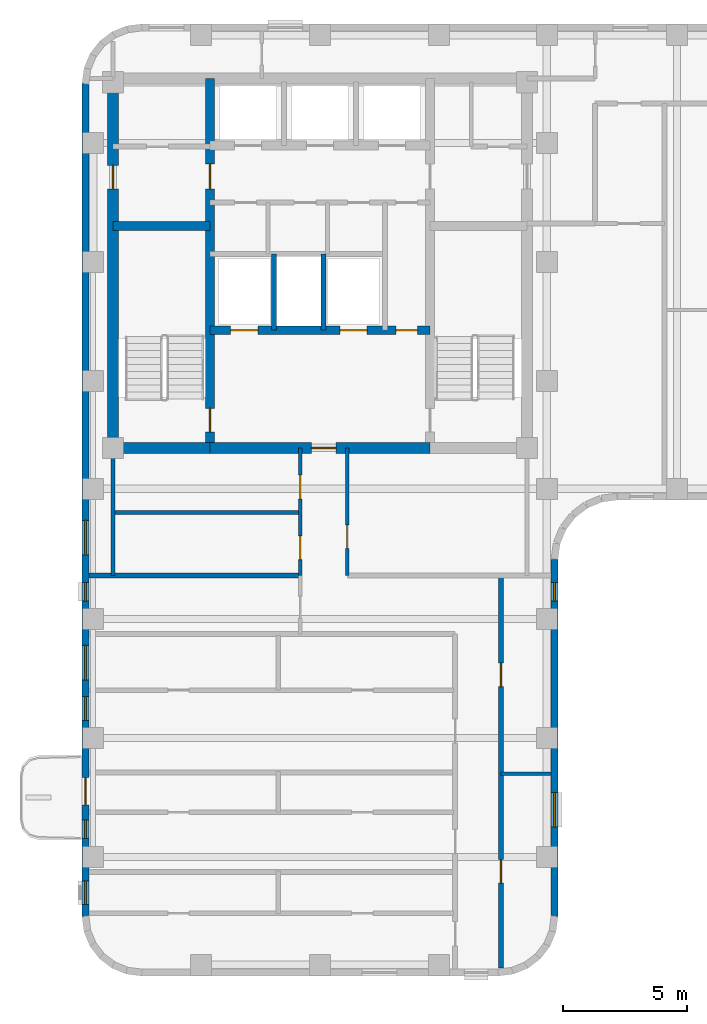
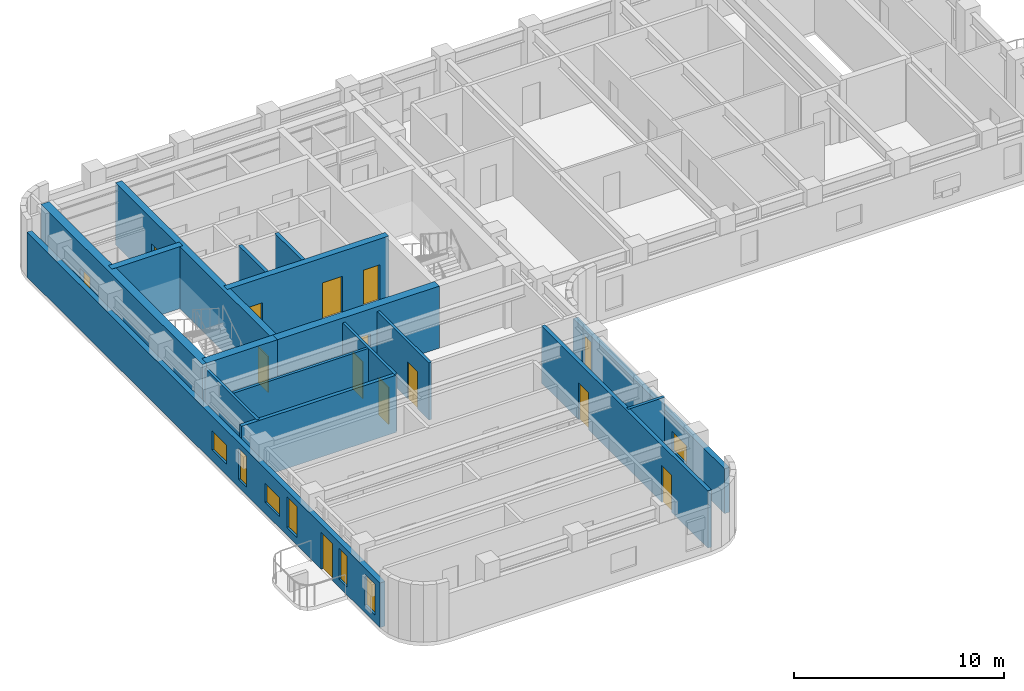
# One storey, part 3 of 8: 17 walls, 13 doors, 8 windows, 21 openings.
"""IFC4 building model written with IfcOpenShell, lengths in metres."""

from ifc_helpers import new_model, si_unit, direction, frame, frame_2d, origin, place, context, subcontext, project, spatial, rectangle, extrude, material, layer, layer_set, type_object, element, fill, save


model = new_model("IFC4")

# Units and contexts
model_context = context("Model", 3, precision=1e-05, world=origin(), true_north=direction((0.0, 1.0)))
body_context = subcontext(model_context, "Body", "Model", "MODEL_VIEW")
ifc_project = project(units=[si_unit("LENGTHUNIT", "METRE"), si_unit("AREAUNIT", "SQUARE_METRE"), si_unit("VOLUMEUNIT", "CUBIC_METRE"), si_unit("PLANEANGLEUNIT", "RADIAN"), si_unit("MASSUNIT", "GRAM", prefix="KILO")], contexts=[model_context])

# Site, building, storey
site_placement = place(None, origin())
site = spatial("IfcSite", under=ifc_project, at=site_placement, CompositionType="ELEMENT")
building_placement = place(site_placement, origin())
building = spatial("IfcBuilding", under=site, at=building_placement, Name="Orvandelia Arch Residences", CompositionType="ELEMENT")
storey_placement = place(building_placement, frame((0.0, 0.0, 236.199951171875)))
storey = spatial("IfcBuildingStorey", under=building, at=storey_placement, Name="L62", CompositionType="ELEMENT", Elevation=236.199951171875)

# Wall, openings, doors
ifc_material_1 = material(Name="Concrete C50/60", Category="concrete")
ifc_layer_1 = layer(ifc_material_1, 0.35009765625, Name="Concrete C50/60", Category="concrete")
ifc_layer_set_1 = layer_set([ifc_layer_1], Name="Concrete C50/60")
wall_type_1 = type_object("IfcWallType", Name="WL-CORE-350", PredefinedType="SHEAR", material=ifc_layer_set_1)
wall_1_placement = place(storey_placement, frame((9.9599609375, 30.89990234375, 0.0), z_axis=(0.0, 0.0, 1.0), x_axis=(0.0, 1.0, 0.0)))
wall_1 = element("IfcWall", 1, at=wall_1_placement, inside=storey, type_object=wall_type_1, Name="Core Shear Wall L62-WEB1", PredefinedType="SHEAR", context=body_context, shape_type="SweptSolid", body=[
    extrude(rectangle(XDim=14.900146484375, YDim=0.35009765625, at=frame_2d((7.4501953125, 0.0))), origin(), (0.0, 0.0, 1.0), 3.60009765625),
])
opening_1_placement = place(wall_1_placement, frame((0.64990234375, 0.0, 0.0)))
opening_1 = element("IfcOpeningElement", 2, at=opening_1_placement, cuts=wall_1, Name="Opening D7", PredefinedType="OPENING", context=body_context, shape_type="SweptSolid", body=[
    extrude(rectangle(XDim=0.949951171875, YDim=2.10009765625, at=frame_2d((0.47509765625, 1.050048828125))), frame((0.0, 0.18505859375, 0.0), z_axis=(0.0, -1.0, 0.0), x_axis=(1.0, 0.0, 0.0)), (0.0, 0.0, 1.0), 0.3701171875),
])
opening_2_placement = place(wall_1_placement, frame((10.449951171875, 0.0, 0.0)))
opening_2 = element("IfcOpeningElement", 3, at=opening_2_placement, cuts=wall_1, Name="Opening D6", PredefinedType="OPENING", context=body_context, shape_type="SweptSolid", body=[
    extrude(rectangle(XDim=1.0, YDim=2.14990234375, at=frame_2d((0.5, 1.074951171875))), frame((0.0, 0.18505859375, 0.0), z_axis=(0.0, -1.0, 0.0), x_axis=(1.0, 0.0, 0.0)), (0.0, 0.0, 1.0), 0.3701171875),
])
ifc_material_2 = material(Name="Smokeproof Painted Steel Fire Door", Category="steel")
door_type_1 = type_object("IfcDoorType", Name="DR-FD60-1000", OperationType="NOTDEFINED", PredefinedType="DOOR", material=ifc_material_2)
door_1_placement = place(opening_2_placement, origin())
door_1 = element("IfcDoor", 4, at=door_1_placement, inside=storey, type_object=door_type_1, Name="High-Rise Lift Hall West Vestibule Door L62", OperationType="SINGLE_SWING_LEFT", OverallHeight=2.14990234375, OverallWidth=1.0, PredefinedType="DOOR", context=body_context, shape_type="SweptSolid", body=[
    extrude(rectangle(XDim=1.0, YDim=2.14990234375, at=frame_2d((0.5, 1.074951171875))), frame((0.0, 0.02490234375, 0.0), z_axis=(0.0, -1.0, 0.0), x_axis=(1.0, 0.0, 0.0)), (0.0, 0.0, 1.0), 0.050048828125),
])
fill(opening_2, door_1)
ifc_material_3 = material(Name="Pressurised Stairwell Fire Door")
door_type_2 = type_object("IfcDoorType", Name="DR-STAIR-950", OperationType="NOTDEFINED", PredefinedType="DOOR", material=ifc_material_3)
door_2_placement = place(opening_1_placement, origin())
door_2 = element("IfcDoor", 5, at=door_2_placement, inside=storey, type_object=door_type_2, Name="Stairwell ST-1 Fire Door L62", OperationType="SINGLE_SWING_LEFT", OverallHeight=2.10009765625, OverallWidth=0.949951171875, PredefinedType="DOOR", context=body_context, shape_type="SweptSolid", body=[
    extrude(rectangle(XDim=0.949951171875, YDim=2.10009765625, at=frame_2d((0.47509765625, 1.050048828125))), frame((0.0, 0.02490234375, 0.0), z_axis=(0.0, -1.0, 0.0), x_axis=(1.0, 0.0, 0.0)), (0.0, 0.0, 1.0), 0.050048828125),
])
fill(opening_1, door_2)

# Wall
wall_2_placement = place(storey_placement, frame((6.050048828125, 39.85009765625, 0.0), z_axis=(0.0, 0.0, 1.0), x_axis=(1.0, 0.0, 0.0)))
element("IfcWall", 6, at=wall_2_placement, inside=storey, type_object=wall_type_1, Name="Core Shear Wall L62-HZ1", PredefinedType="SHEAR", context=body_context, shape_type="SweptSolid", body=[
    extrude(rectangle(XDim=3.909912109375, YDim=0.35009765625, at=frame_2d((1.955078125, 0.0))), origin(), (0.0, 0.0, 1.0), 3.60009765625),
])

# Wall, openings, doors
wall_3_placement = place(storey_placement, frame((9.9599609375, 35.64990234375, 0.0), z_axis=(0.0, 0.0, 1.0), x_axis=(1.0, 0.0, 0.0)))
wall_3 = element("IfcWall", 7, at=wall_3_placement, inside=storey, type_object=wall_type_1, Name="Core Shear Wall L62-HZ3", PredefinedType="SHEAR", context=body_context, shape_type="SweptSolid", body=[
    extrude(rectangle(XDim=8.880126953125, YDim=0.35009765625, at=frame_2d((4.43994140625, 0.0))), origin(), (0.0, 0.0, 1.0), 3.60009765625),
])
opening_3_placement = place(wall_3_placement, frame((0.840087890625, 0.0, 0.0)))
opening_3 = element("IfcOpeningElement", 8, at=opening_3_placement, cuts=wall_3, Name="Opening FLD", PredefinedType="OPENING", context=body_context, shape_type="SweptSolid", body=[
    extrude(rectangle(XDim=1.10009765625, YDim=2.14990234375, at=frame_2d((0.550048828125, 1.074951171875))), frame((0.0, 0.18505859375, 0.0), z_axis=(0.0, -1.0, 0.0), x_axis=(1.0, 0.0, 0.0)), (0.0, 0.0, 1.0), 0.3701171875),
])
opening_4_placement = place(wall_3_placement, frame((5.239990234375, 0.0, 0.0)))
opening_4 = element("IfcOpeningElement", 9, at=opening_4_placement, cuts=wall_3, Name="Opening FLD", PredefinedType="OPENING", context=body_context, shape_type="SweptSolid", body=[
    extrude(rectangle(XDim=1.10009765625, YDim=2.14990234375, at=frame_2d((0.550048828125, 1.074951171875))), frame((0.0, 0.18505859375, 0.0), z_axis=(0.0, -1.0, 0.0), x_axis=(1.0, 0.0, 0.0)), (0.0, 0.0, 1.0), 0.3701171875),
])
opening_5_placement = place(wall_3_placement, frame((7.5, 0.0, 0.0)))
opening_5 = element("IfcOpeningElement", 10, at=opening_5_placement, cuts=wall_3, Name="Opening D5", PredefinedType="OPENING", context=body_context, shape_type="SweptSolid", body=[
    extrude(rectangle(XDim=0.8798828125, YDim=2.10009765625, at=frame_2d((0.43994140625, 1.050048828125))), frame((0.0, 0.18505859375, 0.0), z_axis=(0.0, -1.0, 0.0), x_axis=(1.0, 0.0, 0.0)), (0.0, 0.0, 1.0), 0.3701171875),
])
ifc_material_4 = material(Name="Firefighting Lift Stainless Sliding Door")
door_type_3 = type_object("IfcDoorType", Name="DR-FLFT-1100", OperationType="NOTDEFINED", PredefinedType="DOOR", material=ifc_material_4)
door_3_placement = place(opening_3_placement, origin())
door_3 = element("IfcDoor", 11, at=door_3_placement, inside=storey, type_object=door_type_3, Name="Firefighting Lift Landing Door FLD-FL1-L62", OperationType="SLIDING_TO_LEFT", OverallHeight=2.14990234375, OverallWidth=1.10009765625, PredefinedType="DOOR", context=body_context, shape_type="SweptSolid", body=[
    extrude(rectangle(XDim=1.10009765625, YDim=2.14990234375, at=frame_2d((0.550048828125, 1.074951171875))), frame((0.0, 0.02490234375, 0.0), z_axis=(0.0, -1.0, 0.0), x_axis=(1.0, 0.0, 0.0)), (0.0, 0.0, 1.0), 0.050048828125),
])
fill(opening_3, door_3)
door_4_placement = place(opening_4_placement, origin())
door_4 = element("IfcDoor", 12, at=door_4_placement, inside=storey, type_object=door_type_3, Name="Firefighting Lift Landing Door FLD-FL2-L62", OperationType="SLIDING_TO_RIGHT", OverallHeight=2.14990234375, OverallWidth=1.10009765625, PredefinedType="DOOR", context=body_context, shape_type="SweptSolid", body=[
    extrude(rectangle(XDim=1.10009765625, YDim=2.14990234375, at=frame_2d((0.550048828125, 1.074951171875))), frame((0.0, 0.02490234375, 0.0), z_axis=(0.0, -1.0, 0.0), x_axis=(1.0, 0.0, 0.0)), (0.0, 0.0, 1.0), 0.050048828125),
])
fill(opening_4, door_4)
ifc_material_5 = material(Name="Painted Galvanised Steel Service Door", Category="steel")
door_type_4 = type_object("IfcDoorType", Name="DR-SRV-880", OperationType="NOTDEFINED", PredefinedType="DOOR", material=ifc_material_5)
door_5_placement = place(opening_5_placement, origin())
door_5 = element("IfcDoor", 13, at=door_5_placement, inside=storey, type_object=door_type_4, Name="Core Stairway Passage South Fire Door L62", OperationType="SINGLE_SWING_LEFT", OverallHeight=2.10009765625, OverallWidth=0.8798828125, PredefinedType="DOOR", context=body_context, shape_type="SweptSolid", body=[
    extrude(rectangle(XDim=0.8798828125, YDim=2.10009765625, at=frame_2d((0.43994140625, 1.050048828125))), frame((0.0, 0.02490234375, 0.0), z_axis=(0.0, -1.0, 0.0), x_axis=(1.0, 0.0, 0.0)), (0.0, 0.0, 1.0), 0.050048828125),
])
fill(opening_5, door_5)

# Wall, opening, door
ifc_layer_2 = layer(ifc_material_1, 0.449951171875, Name="Concrete C50/60", Category="concrete")
ifc_layer_set_2 = layer_set([ifc_layer_2], Name="Concrete C50/60")
wall_type_2 = type_object("IfcWallType", Name="WL-CORE-450", PredefinedType="SHEAR", material=ifc_layer_set_2)
wall_4_placement = place(storey_placement, frame((6.050048828125, 30.675048828125, 0.0), z_axis=(0.0, 0.0, 1.0), x_axis=(0.0, 1.0, 0.0)))
wall_4 = element("IfcWall", 14, at=wall_4_placement, inside=storey, type_object=wall_type_2, Name="Core Shear Wall L62-W", PredefinedType="SHEAR", context=body_context, shape_type="SweptSolid", body=[
    extrude(rectangle(XDim=15.349853515625, YDim=0.449951171875, at=frame_2d((7.6748046875, 0.0))), origin(), (0.0, 0.0, 1.0), 3.60009765625),
])
opening_6_placement = place(wall_4_placement, frame((10.675048828125, 0.0, 0.0)))
opening_6 = element("IfcOpeningElement", 15, at=opening_6_placement, cuts=wall_4, Name="Opening D2", PredefinedType="OPENING", context=body_context, shape_type="SweptSolid", body=[
    extrude(rectangle(XDim=0.949951171875, YDim=2.14990234375, at=frame_2d((0.47509765625, 1.074951171875))), frame((0.0, 0.23486328125, 0.0), z_axis=(0.0, -1.0, 0.0), x_axis=(1.0, 0.0, 0.0)), (0.0, 0.0, 1.0), 0.469970703125),
])
ifc_material_6 = material(Name="Solid-Core Timber Interior Fire Door", Category="wood")
door_type_5 = type_object("IfcDoorType", Name="DR-APT-950", OperationType="NOTDEFINED", PredefinedType="DOOR", material=ifc_material_6)
door_6_placement = place(opening_6_placement, origin())
door_6 = element("IfcDoor", 16, at=door_6_placement, inside=storey, type_object=door_type_5, Name="West Viewing Study Door L62", OperationType="SINGLE_SWING_RIGHT", OverallHeight=2.14990234375, OverallWidth=0.949951171875, PredefinedType="DOOR", context=body_context, shape_type="SweptSolid", body=[
    extrude(rectangle(XDim=0.949951171875, YDim=2.14990234375, at=frame_2d((0.47509765625, 1.074951171875))), frame((0.0, 0.02490234375, 0.0), z_axis=(0.0, -1.0, 0.0), x_axis=(1.0, 0.0, 0.0)), (0.0, 0.0, 1.0), 0.050048828125),
])
fill(opening_6, door_6)

# Wall
wall_5_placement = place(storey_placement, frame((6.050048828125, 30.89990234375, 0.0), z_axis=(0.0, 0.0, 1.0), x_axis=(1.0, 0.0, 0.0)))
element("IfcWall", 17, at=wall_5_placement, inside=storey, type_object=wall_type_2, Name="Core Shear Wall L62-SW", PredefinedType="SHEAR", context=body_context, shape_type="SweptSolid", body=[
    extrude(rectangle(XDim=3.909912109375, YDim=0.449951171875, at=frame_2d((1.955078125, 0.0))), origin(), (0.0, 0.0, 1.0), 3.60009765625),
])

# Wall, opening, door
wall_6_placement = place(storey_placement, frame((9.9599609375, 30.89990234375, 0.0), z_axis=(0.0, 0.0, 1.0), x_axis=(1.0, 0.0, 0.0)))
wall_6 = element("IfcWall", 18, at=wall_6_placement, inside=storey, type_object=wall_type_2, Name="Core Shear Wall L62-SM", PredefinedType="SHEAR", context=body_context, shape_type="SweptSolid", body=[
    extrude(rectangle(XDim=8.880126953125, YDim=0.449951171875, at=frame_2d((4.43994140625, 0.0))), origin(), (0.0, 0.0, 1.0), 3.60009765625),
])
opening_7_placement = place(wall_6_placement, frame((4.090087890625, 0.0, 0.0)))
opening_7 = element("IfcOpeningElement", 19, at=opening_7_placement, cuts=wall_6, Name="Opening D6", PredefinedType="OPENING", context=body_context, shape_type="SweptSolid", body=[
    extrude(rectangle(XDim=1.0, YDim=2.14990234375, at=frame_2d((0.5, 1.074951171875))), frame((0.0, 0.23486328125, 0.0), z_axis=(0.0, -1.0, 0.0), x_axis=(1.0, 0.0, 0.0)), (0.0, 0.0, 1.0), 0.469970703125),
])
door_7_placement = place(opening_7_placement, origin())
door_7 = element("IfcDoor", 20, at=door_7_placement, inside=storey, type_object=door_type_1, Name="Firefighting Lobby Smokeproof Door L62", OperationType="SINGLE_SWING_LEFT", OverallHeight=2.14990234375, OverallWidth=1.0, PredefinedType="DOOR", context=body_context, shape_type="SweptSolid", body=[
    extrude(rectangle(XDim=1.0, YDim=2.14990234375, at=frame_2d((0.5, 1.074951171875))), frame((0.0, 0.02490234375, 0.0), z_axis=(0.0, -1.0, 0.0), x_axis=(1.0, 0.0, 0.0)), (0.0, 0.0, 1.0), 0.050048828125),
])
fill(opening_7, door_7)

# Wall, openings, doors
ifc_material_7 = material(Name="Fire-Rated Corridor Partition")
ifc_layer_3 = layer(ifc_material_7, 0.199951171875, Name="Fire-Rated Corridor Partition")
ifc_layer_set_3 = layer_set([ifc_layer_3], Name="Fire-Rated Corridor Partition")
wall_type_3 = type_object("IfcWallType", Name="WL-CORR-200", PredefinedType="PARTITIONING", material=ifc_layer_set_3)
wall_7_placement = place(storey_placement, frame((21.699951171875, 9.919921875, 0.0), z_axis=(0.0, 0.0, 1.0), x_axis=(0.0, 1.0, 0.0)))
wall_7 = element("IfcWall", 21, at=wall_7_placement, inside=storey, type_object=wall_type_3, Name="Interior Partition Wall WL-L62-WC-E", PredefinedType="PARTITIONING", context=body_context, shape_type="SweptSolid", body=[
    extrude(rectangle(XDim=15.830078125, YDim=0.199951171875, at=frame_2d((7.9150390625, 0.0))), origin(), (0.0, 0.0, 1.0), 3.320068359375),
])
opening_8_placement = place(wall_7_placement, frame((3.429931640625, 0.0, 0.0)))
opening_8 = element("IfcOpeningElement", 22, at=opening_8_placement, cuts=wall_7, Name="Opening D2", PredefinedType="OPENING", context=body_context, shape_type="SweptSolid", body=[
    extrude(rectangle(XDim=0.949951171875, YDim=2.14990234375, at=frame_2d((0.47509765625, 1.074951171875))), frame((0.0, 0.10986328125, 0.0), z_axis=(0.0, -1.0, 0.0), x_axis=(1.0, 0.0, 0.0)), (0.0, 0.0, 1.0), 0.219970703125),
])
opening_9_placement = place(wall_7_placement, frame((11.35009765625, 0.0, 0.0)))
opening_9 = element("IfcOpeningElement", 23, at=opening_9_placement, cuts=wall_7, Name="Opening D2", PredefinedType="OPENING", context=body_context, shape_type="SweptSolid", body=[
    extrude(rectangle(XDim=0.949951171875, YDim=2.14990234375, at=frame_2d((0.47509765625, 1.074951171875))), frame((0.0, 0.10986328125, 0.0), z_axis=(0.0, -1.0, 0.0), x_axis=(1.0, 0.0, 0.0)), (0.0, 0.0, 1.0), 0.219970703125),
])
door_8_placement = place(opening_8_placement, origin())
door_8 = element("IfcDoor", 24, at=door_8_placement, inside=storey, type_object=door_type_5, Name="DR-L62-EGALV1", OperationType="SINGLE_SWING_LEFT", OverallHeight=2.14990234375, OverallWidth=0.949951171875, PredefinedType="DOOR", context=body_context, shape_type="SweptSolid", body=[
    extrude(rectangle(XDim=0.949951171875, YDim=2.14990234375, at=frame_2d((0.47509765625, 1.074951171875))), frame((0.0, 0.02490234375, 0.0), z_axis=(0.0, -1.0, 0.0), x_axis=(1.0, 0.0, 0.0)), (0.0, 0.0, 1.0), 0.050048828125),
])
fill(opening_8, door_8)
door_9_placement = place(opening_9_placement, origin())
door_9 = element("IfcDoor", 25, at=door_9_placement, inside=storey, type_object=door_type_5, Name="DR-L62-EGLDY1", OperationType="SINGLE_SWING_RIGHT", OverallHeight=2.14990234375, OverallWidth=0.949951171875, PredefinedType="DOOR", context=body_context, shape_type="SweptSolid", body=[
    extrude(rectangle(XDim=0.949951171875, YDim=2.14990234375, at=frame_2d((0.47509765625, 1.074951171875))), frame((0.0, 0.02490234375, 0.0), z_axis=(0.0, -1.0, 0.0), x_axis=(1.0, 0.0, 0.0)), (0.0, 0.0, 1.0), 0.050048828125),
])
fill(opening_9, door_9)

# Wall
wall_8_placement = place(storey_placement, frame((5.080078125, 25.75, 0.0), z_axis=(0.0, 0.0, 1.0), x_axis=(1.0, 0.0, 0.0)))
element("IfcWall", 26, at=wall_8_placement, inside=storey, type_object=wall_type_3, Name="Interior Partition Wall WL-L62-WLNK-NW2", PredefinedType="PARTITIONING", context=body_context, shape_type="SweptSolid", body=[
    extrude(rectangle(XDim=8.52001953125, YDim=0.199951171875, at=frame_2d((4.260009765625, 0.0))), origin(), (0.0, 0.0, 1.0), 3.320068359375),
])

# Wall, openings, windows
ifc_material_8 = material(Name="Precast concrete C40/50", Category="concrete")
ifc_layer_4 = layer(ifc_material_8, 0.280029296875, Name="Precast concrete C40/50", Category="concrete")
ifc_layer_set_4 = layer_set([ifc_layer_4], Name="Precast concrete C40/50")
wall_type_4 = type_object("IfcWallType", Name="WL-EXT-STONE-280", PredefinedType="STANDARD", material=ifc_layer_set_4)
wall_9_placement = place(storey_placement, frame((23.860107421875, 26.39990234375, 0.0), z_axis=(0.0, 0.0, 1.0), x_axis=(0.0, -1.0, 0.0)))
wall_9 = element("IfcWall", 27, at=wall_9_placement, inside=storey, type_object=wall_type_4, Name="Coral-Limestone Precast Facade Wall L62-028", PredefinedType="STANDARD", context=body_context, shape_type="SweptSolid", body=[
    extrude(rectangle(XDim=14.39990234375, YDim=0.280029296875, at=frame_2d((7.199951171875, 0.0))), origin(), (0.0, 0.0, 1.0), 2.60009765625),
])
opening_10_placement = place(wall_9_placement, frame((9.3974609375, 0.0, 0.64990234375)))
opening_10 = element("IfcOpeningElement", 28, at=opening_10_placement, cuts=wall_9, Name="Opening W10", PredefinedType="OPENING", context=body_context, shape_type="SweptSolid", body=[
    extrude(rectangle(XDim=1.39990234375, YDim=1.10009765625, at=frame_2d((0.699951171875, 0.550048828125))), frame((0.0, 0.14990234375, 0.0), z_axis=(0.0, -1.0, 0.0), x_axis=(1.0, 0.0, 0.0)), (0.0, 0.0, 1.0), 0.300048828125),
])
opening_11_placement = place(wall_9_placement, frame((0.927490234375, 0.0, 0.449951171875)))
opening_11 = element("IfcOpeningElement", 29, at=opening_11_placement, cuts=wall_9, Name="Opening W11", PredefinedType="OPENING", context=body_context, shape_type="SweptSolid", body=[
    extrude(rectangle(XDim=0.75, YDim=1.800048828125, at=frame_2d((0.375, 0.89990234375))), frame((0.0, 0.14990234375, 0.0), z_axis=(0.0, -1.0, 0.0), x_axis=(1.0, 0.0, 0.0)), (0.0, 0.0, 1.0), 0.300048828125),
])
ifc_material_9 = material(Name="Tempered Low-E Insulated Glazing", Category="glass")
window_type_1 = type_object("IfcWindowType", Name="WIN-BED-0750x1800", PartitioningType="SINGLE_PANEL", PredefinedType="WINDOW", material=ifc_material_9)
window_1_placement = place(opening_11_placement, origin())
window_1 = element("IfcWindow", 30, at=window_1_placement, inside=storey, type_object=window_type_1, Name="Recessed Punched Window L62-013", OverallHeight=1.800048828125, OverallWidth=0.75, PartitioningType="SINGLE_PANEL", PredefinedType="WINDOW", context=body_context, shape_type="SweptSolid", body=[
    extrude(rectangle(XDim=0.75, YDim=1.800048828125, at=frame_2d((0.375, 0.89990234375))), frame((0.0, 0.030029296875, 0.0), z_axis=(0.0, -1.0, 0.0), x_axis=(1.0, 0.0, 0.0)), (0.0, 0.0, 1.0), 0.06005859375),
])
fill(opening_11, window_1)
window_type_2 = type_object("IfcWindowType", Name="WIN-CLR-1400x1100", PartitioningType="SINGLE_PANEL", PredefinedType="WINDOW", material=ifc_material_9)
window_2_placement = place(opening_10_placement, origin())
window_2 = element("IfcWindow", 31, at=window_2_placement, inside=storey, type_object=window_type_2, Name="Recessed Punched Window L62-012", OverallHeight=1.10009765625, OverallWidth=1.39990234375, PartitioningType="SINGLE_PANEL", PredefinedType="WINDOW", context=body_context, shape_type="SweptSolid", body=[
    extrude(rectangle(XDim=1.39990234375, YDim=1.10009765625, at=frame_2d((0.699951171875, 0.550048828125))), frame((0.0, 0.030029296875, 0.0), z_axis=(0.0, -1.0, 0.0), x_axis=(1.0, 0.0, 0.0)), (0.0, 0.0, 1.0), 0.06005859375),
])
fill(opening_10, window_2)

# Wall, openings, door, windows
wall_10_placement = place(storey_placement, frame((4.93994140625, 12.0, 0.0), z_axis=(0.0, 0.0, 1.0), x_axis=(0.0, 1.0, 0.0)))
wall_10 = element("IfcWall", 32, at=wall_10_placement, inside=storey, type_object=wall_type_4, Name="Coral-Limestone Precast Facade Wall L62-042", PredefinedType="STANDARD", context=body_context, shape_type="SweptSolid", body=[
    extrude(rectangle(XDim=33.60009765625, YDim=0.280029296875, at=frame_2d((16.800048828125, 0.0))), origin(), (0.0, 0.0, 1.0), 2.60009765625),
])
opening_12_placement = place(wall_10_placement, frame((4.5, 0.0, 0.0)))
opening_12 = element("IfcOpeningElement", 33, at=opening_12_placement, cuts=wall_10, Name="Opening BD1", PredefinedType="OPENING", context=body_context, shape_type="SweptSolid", body=[
    extrude(rectangle(XDim=1.10009765625, YDim=2.14990234375, at=frame_2d((0.550048828125, 1.074951171875))), frame((0.0, 0.14990234375, 0.0), z_axis=(0.0, -1.0, 0.0), x_axis=(1.0, 0.0, 0.0)), (0.0, 0.0, 1.0), 0.300048828125),
])
opening_13_placement = place(wall_10_placement, frame((3.152587890625, 0.0, 0.449951171875)))
opening_13 = element("IfcOpeningElement", 34, at=opening_13_placement, cuts=wall_10, Name="Opening W11", PredefinedType="OPENING", context=body_context, shape_type="SweptSolid", body=[
    extrude(rectangle(XDim=0.75, YDim=1.800048828125, at=frame_2d((0.375, 0.89990234375))), frame((0.0, 0.14990234375, 0.0), z_axis=(0.0, -1.0, 0.0), x_axis=(1.0, 0.0, 0.0)), (0.0, 0.0, 1.0), 0.300048828125),
])
opening_14_placement = place(wall_10_placement, frame((7.91455078125, 0.0, 0.449951171875)))
opening_14 = element("IfcOpeningElement", 35, at=opening_14_placement, cuts=wall_10, Name="Opening W4", PredefinedType="OPENING", context=body_context, shape_type="SweptSolid", body=[
    extrude(rectangle(XDim=0.949951171875, YDim=1.800048828125, at=frame_2d((0.47509765625, 0.89990234375))), frame((0.0, 0.14990234375, 0.0), z_axis=(0.0, -1.0, 0.0), x_axis=(1.0, 0.0, 0.0)), (0.0, 0.0, 1.0), 0.300048828125),
])
opening_15_placement = place(wall_10_placement, frame((0.489990234375, 0.0, 0.449951171875)))
opening_15 = element("IfcOpeningElement", 36, at=opening_15_placement, cuts=wall_10, Name="Opening W4", PredefinedType="OPENING", context=body_context, shape_type="SweptSolid", body=[
    extrude(rectangle(XDim=0.949951171875, YDim=1.800048828125, at=frame_2d((0.47509765625, 0.89990234375))), frame((0.0, 0.14990234375, 0.0), z_axis=(0.0, -1.0, 0.0), x_axis=(1.0, 0.0, 0.0)), (0.0, 0.0, 1.0), 0.300048828125),
])
opening_16_placement = place(wall_10_placement, frame((9.537109375, 0.0, 0.64990234375)))
opening_16 = element("IfcOpeningElement", 37, at=opening_16_placement, cuts=wall_10, Name="Opening W10", PredefinedType="OPENING", context=body_context, shape_type="SweptSolid", body=[
    extrude(rectangle(XDim=1.39990234375, YDim=1.10009765625, at=frame_2d((0.699951171875, 0.550048828125))), frame((0.0, 0.14990234375, 0.0), z_axis=(0.0, -1.0, 0.0), x_axis=(1.0, 0.0, 0.0)), (0.0, 0.0, 1.0), 0.300048828125),
])
opening_17_placement = place(wall_10_placement, frame((14.58251953125, 0.0, 0.64990234375)))
opening_17 = element("IfcOpeningElement", 38, at=opening_17_placement, cuts=wall_10, Name="Opening W10", PredefinedType="OPENING", context=body_context, shape_type="SweptSolid", body=[
    extrude(rectangle(XDim=1.39990234375, YDim=1.10009765625, at=frame_2d((0.699951171875, 0.550048828125))), frame((0.0, 0.14990234375, 0.0), z_axis=(0.0, -1.0, 0.0), x_axis=(1.0, 0.0, 0.0)), (0.0, 0.0, 1.0), 0.300048828125),
])
opening_18_placement = place(wall_10_placement, frame((12.717529296875, 0.0, 0.449951171875)))
opening_18 = element("IfcOpeningElement", 39, at=opening_18_placement, cuts=wall_10, Name="Opening W11", PredefinedType="OPENING", context=body_context, shape_type="SweptSolid", body=[
    extrude(rectangle(XDim=0.75, YDim=1.800048828125, at=frame_2d((0.375, 0.89990234375))), frame((0.0, 0.14990234375, 0.0), z_axis=(0.0, -1.0, 0.0), x_axis=(1.0, 0.0, 0.0)), (0.0, 0.0, 1.0), 0.300048828125),
])
ifc_material_10 = material(Name="Thermally Broken Aluminium Glazed Door", Category="aluminium")
door_type_6 = type_object("IfcDoorType", Name="DR-BAL-GLAZ-1100", OperationType="NOTDEFINED", PredefinedType="DOOR", material=ifc_material_10)
door_10_placement = place(opening_12_placement, origin())
door_10 = element("IfcDoor", 40, at=door_10_placement, inside=storey, type_object=door_type_6, Name="Tree Balcony Glazed Door BAL-L62-W1", OperationType="SINGLE_SWING_RIGHT", OverallHeight=2.14990234375, OverallWidth=1.10009765625, PredefinedType="DOOR", context=body_context, shape_type="SweptSolid", body=[
    extrude(rectangle(XDim=1.10009765625, YDim=2.14990234375, at=frame_2d((0.550048828125, 1.074951171875))), frame((0.0, 0.02490234375, 0.0), z_axis=(0.0, -1.0, 0.0), x_axis=(1.0, 0.0, 0.0)), (0.0, 0.0, 1.0), 0.050048828125),
])
fill(opening_12, door_10)
window_3_placement = place(opening_13_placement, origin())
window_3 = element("IfcWindow", 41, at=window_3_placement, inside=storey, type_object=window_type_1, Name="Recessed Punched Window L62-016", OverallHeight=1.800048828125, OverallWidth=0.75, PartitioningType="SINGLE_PANEL", PredefinedType="WINDOW", context=body_context, shape_type="SweptSolid", body=[
    extrude(rectangle(XDim=0.75, YDim=1.800048828125, at=frame_2d((0.375, 0.89990234375))), frame((0.0, 0.030029296875, 0.0), z_axis=(0.0, -1.0, 0.0), x_axis=(1.0, 0.0, 0.0)), (0.0, 0.0, 1.0), 0.06005859375),
])
fill(opening_13, window_3)
window_4_placement = place(opening_18_placement, origin())
window_4 = element("IfcWindow", 42, at=window_4_placement, inside=storey, type_object=window_type_1, Name="Recessed Punched Window L62-021", OverallHeight=1.800048828125, OverallWidth=0.75, PartitioningType="SINGLE_PANEL", PredefinedType="WINDOW", context=body_context, shape_type="SweptSolid", body=[
    extrude(rectangle(XDim=0.75, YDim=1.800048828125, at=frame_2d((0.375, 0.89990234375))), frame((0.0, 0.030029296875, 0.0), z_axis=(0.0, -1.0, 0.0), x_axis=(1.0, 0.0, 0.0)), (0.0, 0.0, 1.0), 0.06005859375),
])
fill(opening_18, window_4)
window_5_placement = place(opening_16_placement, origin())
window_5 = element("IfcWindow", 43, at=window_5_placement, inside=storey, type_object=window_type_2, Name="Recessed Punched Window L62-019", OverallHeight=1.10009765625, OverallWidth=1.39990234375, PartitioningType="SINGLE_PANEL", PredefinedType="WINDOW", context=body_context, shape_type="SweptSolid", body=[
    extrude(rectangle(XDim=1.39990234375, YDim=1.10009765625, at=frame_2d((0.699951171875, 0.550048828125))), frame((0.0, 0.030029296875, 0.0), z_axis=(0.0, -1.0, 0.0), x_axis=(1.0, 0.0, 0.0)), (0.0, 0.0, 1.0), 0.06005859375),
])
fill(opening_16, window_5)
window_6_placement = place(opening_17_placement, origin())
window_6 = element("IfcWindow", 44, at=window_6_placement, inside=storey, type_object=window_type_2, Name="Recessed Punched Window L62-020", OverallHeight=1.10009765625, OverallWidth=1.39990234375, PartitioningType="SINGLE_PANEL", PredefinedType="WINDOW", context=body_context, shape_type="SweptSolid", body=[
    extrude(rectangle(XDim=1.39990234375, YDim=1.10009765625, at=frame_2d((0.699951171875, 0.550048828125))), frame((0.0, 0.030029296875, 0.0), z_axis=(0.0, -1.0, 0.0), x_axis=(1.0, 0.0, 0.0)), (0.0, 0.0, 1.0), 0.06005859375),
])
fill(opening_17, window_6)
window_type_3 = type_object("IfcWindowType", Name="WIN-RES-0950x1800", PartitioningType="SINGLE_PANEL", PredefinedType="WINDOW", material=ifc_material_9)
window_7_placement = place(opening_14_placement, origin())
window_7 = element("IfcWindow", 45, at=window_7_placement, inside=storey, type_object=window_type_3, Name="Recessed Punched Window L62-017", OverallHeight=1.800048828125, OverallWidth=0.949951171875, PartitioningType="SINGLE_PANEL", PredefinedType="WINDOW", context=body_context, shape_type="SweptSolid", body=[
    extrude(rectangle(XDim=0.949951171875, YDim=1.800048828125, at=frame_2d((0.47509765625, 0.89990234375))), frame((0.0, 0.030029296875, 0.0), z_axis=(0.0, -1.0, 0.0), x_axis=(1.0, 0.0, 0.0)), (0.0, 0.0, 1.0), 0.06005859375),
])
fill(opening_14, window_7)
window_8_placement = place(opening_15_placement, origin())
window_8 = element("IfcWindow", 46, at=window_8_placement, inside=storey, type_object=window_type_3, Name="Recessed Punched Window L62-018", OverallHeight=1.800048828125, OverallWidth=0.949951171875, PartitioningType="SINGLE_PANEL", PredefinedType="WINDOW", context=body_context, shape_type="SweptSolid", body=[
    extrude(rectangle(XDim=0.949951171875, YDim=1.800048828125, at=frame_2d((0.47509765625, 0.89990234375))), frame((0.0, 0.030029296875, 0.0), z_axis=(0.0, -1.0, 0.0), x_axis=(1.0, 0.0, 0.0)), (0.0, 0.0, 1.0), 0.06005859375),
])
fill(opening_15, window_8)

# Wall, openings, doors
ifc_material_11 = material(Name="Acoustic Gypsum Stud Partition")
ifc_layer_5 = layer(ifc_material_11, 0.14990234375, Name="Acoustic Gypsum Stud Partition")
ifc_layer_set_5 = layer_set([ifc_layer_5], Name="Acoustic Gypsum Stud Partition")
wall_type_5 = type_object("IfcWallType", Name="WL-PART-150", PredefinedType="PARTITIONING", material=ifc_layer_set_5)
wall_11_placement = place(storey_placement, frame((13.60009765625, 25.75, 0.0), z_axis=(0.0, 0.0, 1.0), x_axis=(0.0, 1.0, 0.0)))
wall_11 = element("IfcWall", 47, at=wall_11_placement, inside=storey, type_object=wall_type_5, Name="Interior Partition Wall WL-L62-HI-W1", PredefinedType="PARTITIONING", context=body_context, shape_type="SweptSolid", body=[
    extrude(rectangle(XDim=5.14990234375, YDim=0.14990234375, at=frame_2d((2.574951171875, 0.0))), origin(), (0.0, 0.0, 1.0), 3.320068359375),
])
opening_19_placement = place(wall_11_placement, frame((0.64990234375, 0.0, 0.0)))
opening_19 = element("IfcOpeningElement", 48, at=opening_19_placement, cuts=wall_11, Name="Opening D2", PredefinedType="OPENING", context=body_context, shape_type="SweptSolid", body=[
    extrude(rectangle(XDim=0.949951171875, YDim=2.14990234375, at=frame_2d((0.47509765625, 1.074951171875))), frame((0.0, 0.0849609375, 0.0), z_axis=(0.0, -1.0, 0.0), x_axis=(1.0, 0.0, 0.0)), (0.0, 0.0, 1.0), 0.169921875),
])
opening_20_placement = place(wall_11_placement, frame((3.10009765625, 0.0, 0.0)))
opening_20 = element("IfcOpeningElement", 49, at=opening_20_placement, cuts=wall_11, Name="Opening D2", PredefinedType="OPENING", context=body_context, shape_type="SweptSolid", body=[
    extrude(rectangle(XDim=0.949951171875, YDim=2.14990234375, at=frame_2d((0.47509765625, 1.074951171875))), frame((0.0, 0.0849609375, 0.0), z_axis=(0.0, -1.0, 0.0), x_axis=(1.0, 0.0, 0.0)), (0.0, 0.0, 1.0), 0.169921875),
])
door_11_placement = place(opening_19_placement, origin())
door_11 = element("IfcDoor", 50, at=door_11_placement, inside=storey, type_object=door_type_5, Name="DR-L62-HIR1S", OperationType="SINGLE_SWING_LEFT", OverallHeight=2.14990234375, OverallWidth=0.949951171875, PredefinedType="DOOR", context=body_context, shape_type="SweptSolid", body=[
    extrude(rectangle(XDim=0.949951171875, YDim=2.14990234375, at=frame_2d((0.47509765625, 1.074951171875))), frame((0.0, 0.02490234375, 0.0), z_axis=(0.0, -1.0, 0.0), x_axis=(1.0, 0.0, 0.0)), (0.0, 0.0, 1.0), 0.050048828125),
])
fill(opening_19, door_11)
door_12_placement = place(opening_20_placement, origin())
door_12 = element("IfcDoor", 51, at=door_12_placement, inside=storey, type_object=door_type_5, Name="DR-L62-HIR1N", OperationType="SINGLE_SWING_RIGHT", OverallHeight=2.14990234375, OverallWidth=0.949951171875, PredefinedType="DOOR", context=body_context, shape_type="SweptSolid", body=[
    extrude(rectangle(XDim=0.949951171875, YDim=2.14990234375, at=frame_2d((0.47509765625, 1.074951171875))), frame((0.0, 0.02490234375, 0.0), z_axis=(0.0, -1.0, 0.0), x_axis=(1.0, 0.0, 0.0)), (0.0, 0.0, 1.0), 0.050048828125),
])
fill(opening_20, door_12)

# Wall, opening, door
wall_12_placement = place(storey_placement, frame((15.5, 25.75, 0.0), z_axis=(0.0, 0.0, 1.0), x_axis=(0.0, 1.0, 0.0)))
wall_12 = element("IfcWall", 52, at=wall_12_placement, inside=storey, type_object=wall_type_5, Name="Interior Partition Wall WL-L62-HI-W2", PredefinedType="PARTITIONING", context=body_context, shape_type="SweptSolid", body=[
    extrude(rectangle(XDim=5.14990234375, YDim=0.14990234375, at=frame_2d((2.574951171875, 0.0))), origin(), (0.0, 0.0, 1.0), 3.320068359375),
])
opening_21_placement = place(wall_12_placement, frame((1.10009765625, 0.0, 0.0)))
opening_21 = element("IfcOpeningElement", 53, at=opening_21_placement, cuts=wall_12, Name="Opening D2", PredefinedType="OPENING", context=body_context, shape_type="SweptSolid", body=[
    extrude(rectangle(XDim=0.949951171875, YDim=2.14990234375, at=frame_2d((0.47509765625, 1.074951171875))), frame((0.0, 0.0849609375, 0.0), z_axis=(0.0, -1.0, 0.0), x_axis=(1.0, 0.0, 0.0)), (0.0, 0.0, 1.0), 0.169921875),
])
door_13_placement = place(opening_21_placement, origin())
door_13 = element("IfcDoor", 54, at=door_13_placement, inside=storey, type_object=door_type_5, Name="DR-L62-HIR2", OperationType="SINGLE_SWING_RIGHT", OverallHeight=2.14990234375, OverallWidth=0.949951171875, PredefinedType="DOOR", context=body_context, shape_type="SweptSolid", body=[
    extrude(rectangle(XDim=0.949951171875, YDim=2.14990234375, at=frame_2d((0.47509765625, 1.074951171875))), frame((0.0, 0.02490234375, 0.0), z_axis=(0.0, -1.0, 0.0), x_axis=(1.0, 0.0, 0.0)), (0.0, 0.0, 1.0), 0.050048828125),
])
fill(opening_21, door_13)

# Walls
wall_13_placement = place(storey_placement, frame((6.050048828125, 25.75, 0.0), z_axis=(0.0, 0.0, 1.0), x_axis=(0.0, 1.0, 0.0)))
element("IfcWall", 55, at=wall_13_placement, inside=storey, type_object=wall_type_5, Name="Interior Partition Wall WL-L62-HI-WW", PredefinedType="PARTITIONING", context=body_context, shape_type="SweptSolid", body=[
    extrude(rectangle(XDim=5.14990234375, YDim=0.14990234375, at=frame_2d((2.574951171875, 0.0))), origin(), (0.0, 0.0, 1.0), 3.320068359375),
])
wall_14_placement = place(storey_placement, frame((6.050048828125, 28.300048828125, 0.0), z_axis=(0.0, 0.0, 1.0), x_axis=(1.0, 0.0, 0.0)))
element("IfcWall", 56, at=wall_14_placement, inside=storey, type_object=wall_type_5, Name="Interior Partition Wall WL-L62-HIR-H1", PredefinedType="PARTITIONING", context=body_context, shape_type="SweptSolid", body=[
    extrude(rectangle(XDim=7.550048828125, YDim=0.14990234375, at=frame_2d((3.77490234375, 0.0))), origin(), (0.0, 0.0, 1.0), 3.320068359375),
])
wall_15_placement = place(storey_placement, frame((21.699951171875, 17.760009765625, 0.0), z_axis=(0.0, 0.0, 1.0), x_axis=(1.0, 0.0, 0.0)))
element("IfcWall", 57, at=wall_15_placement, inside=storey, type_object=wall_type_5, Name="Interior Partition Wall WL-L62-EGDIV-1", PredefinedType="PARTITIONING", context=body_context, shape_type="SweptSolid", body=[
    extrude(rectangle(XDim=2.02001953125, YDim=0.14990234375, at=frame_2d((1.010009765625, 0.0))), origin(), (0.0, 0.0, 1.0), 3.320068359375),
])
ifc_material_12 = material(Name="Fire-Rated Shaft Enclosure Wall")
ifc_layer_6 = layer(ifc_material_12, 0.199951171875, Name="Fire-Rated Shaft Enclosure Wall")
ifc_layer_set_6 = layer_set([ifc_layer_6], Name="Fire-Rated Shaft Enclosure Wall")
wall_type_6 = type_object("IfcWallType", Name="WL-SHAFT-200", PredefinedType="POLYGONAL", material=ifc_layer_set_6)
for number, where, z_axis, x_axis, name in (
    (58, (12.550048828125, 35.64990234375, 0.0), (0.0, 0.0, 1.0), (0.0, 1.0, 0.0), "Interior Partition Wall WL-L62-FLM1"),
    (59, (14.550048828125, 35.64990234375, 0.0), (0.0, 0.0, 1.0), (0.0, 1.0, 0.0), "Interior Partition Wall WL-L62-FLM2"),
):
    element("IfcWall", number, at=place(storey_placement, frame(where, z_axis=z_axis, x_axis=x_axis)), inside=storey, type_object=wall_type_6, Name=name, PredefinedType="POLYGONAL", context=body_context, shape_type="SweptSolid", body=[
        extrude(rectangle(XDim=3.070068359375, YDim=0.199951171875, at=frame_2d((1.53515625, 0.0))), origin(), (0.0, 0.0, 1.0), 3.320068359375),
    ])

save(model, "model.ifc")
